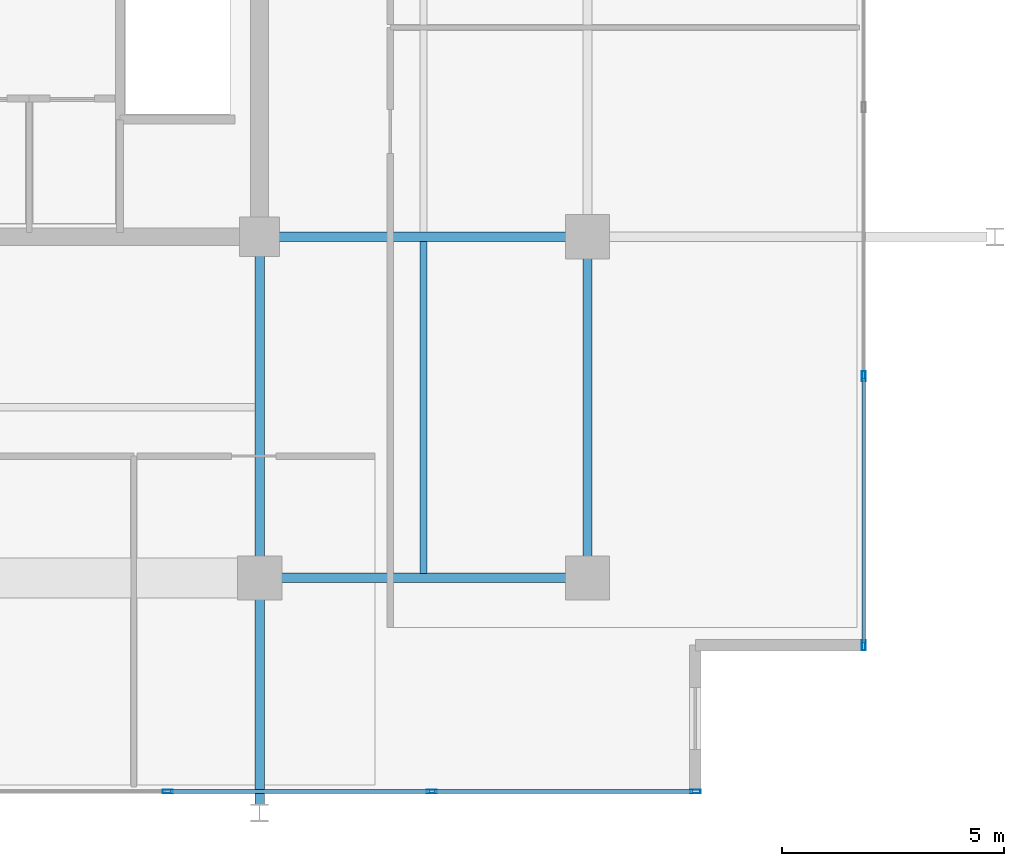
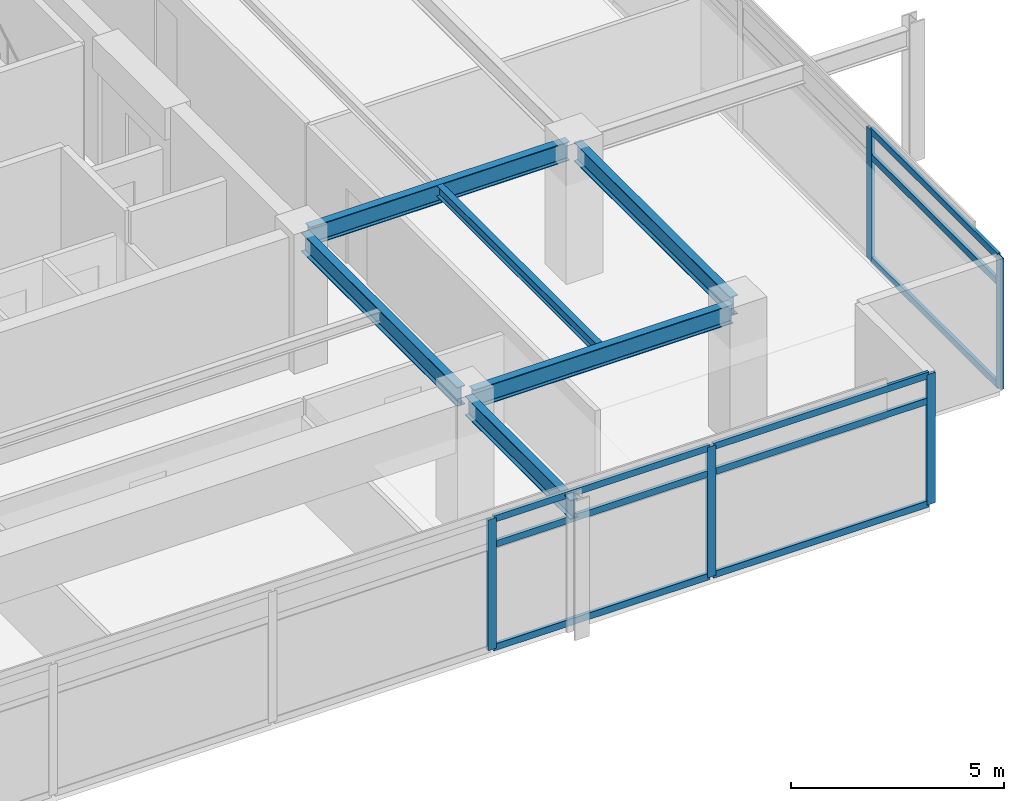
# One storey, part 6 of 20: 14 members, 6 beams, 2 elements without a shape of their own.
"""IFC4 building model written with IfcOpenShell, lengths in metres."""

from ifc_helpers import new_model, si_unit, direction, frame, origin, origin_2d, place, context, subcontext, project, spatial, hollow_rectangle, i_section, extrude, material, material_profile, profile_set, type_object, element, aggregate, save


model = new_model("IFC4")

# Units and contexts
model_context = context("Model", 3, precision=1e-05, world=origin(), true_north=direction((0.0, 1.0)))
body_context = subcontext(model_context, "Body", "Model", "MODEL_VIEW")
ifc_project = project(units=[si_unit("LENGTHUNIT", "METRE"), si_unit("AREAUNIT", "SQUARE_METRE"), si_unit("VOLUMEUNIT", "CUBIC_METRE"), si_unit("PLANEANGLEUNIT", "RADIAN"), si_unit("MASSUNIT", "GRAM", prefix="KILO")], contexts=[model_context])

# Site, building, storey
site_placement = place(None, origin())
site = spatial("IfcSite", under=ifc_project, at=site_placement, CompositionType="ELEMENT")
building_placement = place(site_placement, origin())
building = spatial("IfcBuilding", under=site, at=building_placement, Name="Kovane Verandah Tower", CompositionType="ELEMENT")
storey_placement = place(building_placement, frame((0.0, 0.0, 330.800048828125)))
storey = spatial("IfcBuildingStorey", under=building, at=storey_placement, Name="L77", CompositionType="ELEMENT", Elevation=330.800048828125)

# Beams
ifc_material_1 = material(Name="Steel S355", Category="steel")
ifc_material_profile_1 = material_profile(ifc_material_1, i_section(OverallWidth=0.2119140625, OverallDepth=0.54443359375, WebThickness=0.0126953125, FlangeThickness=0.021240234375, FilletRadius=0.0126953125, at=origin_2d()), Name="UB533x210x122")
ifc_profile_set_1 = profile_set([ifc_material_profile_1], Name="Steel S355")
beam_type_1 = type_object("IfcBeamType", Name="BM-UB533x122", PredefinedType="BEAM", material=ifc_profile_set_1)
beam_1_placement = place(storey_placement, frame((51.179931640625, 10.800048828125, 3.5126953125), z_axis=(1.0, 0.0, 0.0), x_axis=(0.0, 1.0, 0.0)))
element("IfcBeam", 1, at=beam_1_placement, inside=storey, type_object=beam_type_1, Name="L77 Primary Tower Girder G-RS3", PredefinedType="BEAM", context=body_context, shape_type="SweptSolid", body=[
    extrude(i_section(OverallWidth=0.2119140625, OverallDepth=0.54443359375, WebThickness=0.0126953125, FlangeThickness=0.021240234375, FilletRadius=0.0126953125, at=origin_2d()), origin(), (0.0, 0.0, 1.0), 7.0400390625),
])
beam_2_placement = place(storey_placement, frame((58.39990234375, 10.97998046875, 3.5126953125), z_axis=(0.0, 1.0, 0.0), x_axis=(-1.0, 0.0, 0.0)))
element("IfcBeam", 2, at=beam_2_placement, inside=storey, type_object=beam_type_1, Name="L77 Primary Tower Girder G-RE1", PredefinedType="BEAM", context=body_context, shape_type="SweptSolid", body=[
    extrude(i_section(OverallWidth=0.2119140625, OverallDepth=0.54443359375, WebThickness=0.0126953125, FlangeThickness=0.021240234375, FilletRadius=0.0126953125, at=origin_2d()), origin(), (0.0, 0.0, 1.0), 7.340087890625),
])
beam_3_placement = place(storey_placement, frame((51.179931640625, 18.5, 3.5126953125), z_axis=(1.0, 0.0, 0.0), x_axis=(0.0, 1.0, 0.0)))
element("IfcBeam", 3, at=beam_3_placement, inside=storey, type_object=beam_type_1, Name="L77 Primary Tower Girder G-E1", PredefinedType="BEAM", context=body_context, shape_type="SweptSolid", body=[
    extrude(i_section(OverallWidth=0.2119140625, OverallDepth=0.54443359375, WebThickness=0.0126953125, FlangeThickness=0.021240234375, FilletRadius=0.0126953125, at=origin_2d()), origin(), (0.0, 0.0, 1.0), 7.0400390625),
])
beam_4_placement = place(storey_placement, frame((51.0, 18.320068359375, 3.5126953125), z_axis=(0.0, -1.0, 0.0), x_axis=(1.0, 0.0, 0.0)))
element("IfcBeam", 4, at=beam_4_placement, inside=storey, type_object=beam_type_1, Name="L77 Primary Tower Girder G-S2", PredefinedType="BEAM", context=body_context, shape_type="SweptSolid", body=[
    extrude(i_section(OverallWidth=0.2119140625, OverallDepth=0.54443359375, WebThickness=0.0126953125, FlangeThickness=0.021240234375, FilletRadius=0.0126953125, at=origin_2d()), origin(), (0.0, 0.0, 1.0), 7.340087890625),
])
beam_5_placement = place(storey_placement, frame((51.0, 10.6201171875, 3.48779296875), z_axis=(0.0, -1.0, 0.0), x_axis=(1.0, 0.0, 0.0)))
element("IfcBeam", 5, at=beam_5_placement, inside=storey, type_object=beam_type_1, Name="L77 Primary Tower Girder G-VS2", PredefinedType="BEAM", context=body_context, shape_type="SweptSolid", body=[
    extrude(i_section(OverallWidth=0.2119140625, OverallDepth=0.54443359375, WebThickness=0.0126953125, FlangeThickness=0.021240234375, FilletRadius=0.0126953125, at=origin_2d()), origin(), (0.0, 0.0, 1.0), 4.940185546875),
])

# Curtain wall, members
ifc_material_2 = material(Name="Champagne Anodised Aluminium Frame with Low-E Clear Laminated Glass", Category="aluminium")
curtain_wall_type = type_object("IfcCurtainWallType", Name="CW-SYS-05-HIGH", PredefinedType="NOTDEFINED", material=ifc_material_2)
curtain_wall_1_placement = place(storey_placement, origin())
curtain_wall_1 = element("IfcCurtainWall", 6, at=curtain_wall_1_placement, inside=storey, type_object=curtain_wall_type, Name="L77 S Unitised Curtain Wall", PredefinedType="NOTDEFINED")
ifc_material_3 = material(Name="Champagne Anodised Aluminium 6063-T6", Category="aluminium")
ifc_material_profile_2 = material_profile(ifc_material_3, hollow_rectangle(XDim=0.0849609375, YDim=0.22998046875, WallThickness=0.00390625, at=origin_2d()), Name="AL85x230x4")
ifc_profile_set_2 = profile_set([ifc_material_profile_2], Name="Champagne Anodised Aluminium 6063-T6")
member_type_1 = type_object("IfcMemberType", Name="CW-MUL-85x230", PredefinedType="MULLION", material=ifc_profile_set_2)
member_1_placement = place(storey_placement, frame((48.929931640625, 5.981689453125, 0.02001953125), z_axis=(0.0, 0.0, 1.0), x_axis=(0.0, -1.0, 0.0)))
member_1 = element("IfcMember", 7, at=member_1_placement, type_object=member_type_1, Name="L77 S Unitised Curtain Wall Mullion 6", PredefinedType="MULLION", context=body_context, shape_type="SweptSolid", body=[
    extrude(hollow_rectangle(XDim=0.0849609375, YDim=0.22998046875, WallThickness=0.00390625, at=origin_2d()), origin(), (0.0, 0.0, 1.0), 3.744873046875),
])
member_2_placement = place(storey_placement, frame((54.883056640625, 5.981689453125, 0.02001953125), z_axis=(0.0, 0.0, 1.0), x_axis=(0.0, -1.0, 0.0)))
member_2 = element("IfcMember", 8, at=member_2_placement, type_object=member_type_1, Name="L77 S Unitised Curtain Wall Mullion 7", PredefinedType="MULLION", context=body_context, shape_type="SweptSolid", body=[
    extrude(hollow_rectangle(XDim=0.0849609375, YDim=0.22998046875, WallThickness=0.00390625, at=origin_2d()), origin(), (0.0, 0.0, 1.0), 3.744873046875),
])
member_3_placement = place(storey_placement, frame((60.83642578125, 5.981689453125, 0.02001953125), z_axis=(0.0, 0.0, 1.0), x_axis=(0.0, -1.0, 0.0)))
member_3 = element("IfcMember", 9, at=member_3_placement, type_object=member_type_1, Name="L77 S Unitised Curtain Wall Mullion 8", PredefinedType="MULLION", context=body_context, shape_type="SweptSolid", body=[
    extrude(hollow_rectangle(XDim=0.0849609375, YDim=0.22998046875, WallThickness=0.00390625, at=origin_2d()), origin(), (0.0, 0.0, 1.0), 3.744873046875),
])

curtain_wall_2_placement = place(storey_placement, origin())
curtain_wall_2 = element("IfcCurtainWall", 10, at=curtain_wall_2_placement, inside=storey, type_object=curtain_wall_type, Name="L77 E Unitised Curtain Wall", PredefinedType="NOTDEFINED")
member_4_placement = place(storey_placement, frame((64.636474609375, 9.28173828125, 0.02001953125), z_axis=(0.0, 0.0, 1.0), x_axis=(1.0, 0.0, 0.0)))
member_4 = element("IfcMember", 11, at=member_4_placement, type_object=member_type_1, Name="L77 E Unitised Curtain Wall Mullion 1", PredefinedType="MULLION", context=body_context, shape_type="SweptSolid", body=[
    extrude(hollow_rectangle(XDim=0.0849609375, YDim=0.22998046875, WallThickness=0.00390625, at=origin_2d()), origin(), (0.0, 0.0, 1.0), 3.744873046875),
])
member_5_placement = place(storey_placement, frame((64.636474609375, 15.3544921875, 0.02001953125), z_axis=(0.0, 0.0, 1.0), x_axis=(1.0, 0.0, 0.0)))
member_5 = element("IfcMember", 12, at=member_5_placement, type_object=member_type_1, Name="L77 E Unitised Curtain Wall Mullion 2", PredefinedType="MULLION", context=body_context, shape_type="SweptSolid", body=[
    extrude(hollow_rectangle(XDim=0.0849609375, YDim=0.22998046875, WallThickness=0.00390625, at=origin_2d()), origin(), (0.0, 0.0, 1.0), 3.744873046875),
])

# Member
ifc_material_profile_3 = material_profile(ifc_material_3, hollow_rectangle(XDim=0.0849609375, YDim=0.18994140625, WallThickness=0.00390625, at=origin_2d()), Name="AL85x190x4")
ifc_profile_set_3 = profile_set([ifc_material_profile_3], Name="Champagne Anodised Aluminium 6063-T6")
member_type_2 = type_object("IfcMemberType", Name="CW-TRN-85x190", PredefinedType="USERDEFINED", material=ifc_profile_set_3)
member_6_placement = place(storey_placement, frame((48.97998046875, 5.981689453125, 0.050048828125), z_axis=(1.0, 0.0, 0.0), x_axis=(0.0, 1.0, 0.0)))
member_6 = element("IfcMember", 13, at=member_6_placement, type_object=member_type_2, Name="L77 S Unitised Curtain Wall Transom TB Bay 6", ObjectType="TRANSOM", PredefinedType="USERDEFINED", context=body_context, shape_type="SweptSolid", body=[
    extrude(hollow_rectangle(XDim=0.0849609375, YDim=0.18994140625, WallThickness=0.00390625, at=origin_2d()), origin(), (0.0, 0.0, 1.0), 5.85302734375),
])

member_7_placement = place(storey_placement, frame((48.97998046875, 5.981689453125, 3.0048828125), z_axis=(1.0, 0.0, 0.0), x_axis=(0.0, 1.0, 0.0)))
member_7 = element("IfcMember", 14, at=member_7_placement, type_object=member_type_2, Name="L77 S Unitised Curtain Wall Transom TM Bay 6", ObjectType="TRANSOM", PredefinedType="USERDEFINED", context=body_context, shape_type="SweptSolid", body=[
    extrude(hollow_rectangle(XDim=0.0849609375, YDim=0.18994140625, WallThickness=0.00390625, at=origin_2d()), origin(), (0.0, 0.0, 1.0), 5.85302734375),
])

member_8_placement = place(storey_placement, frame((48.97998046875, 5.981689453125, 3.73486328125), z_axis=(1.0, 0.0, 0.0), x_axis=(0.0, 1.0, 0.0)))
member_8 = element("IfcMember", 15, at=member_8_placement, type_object=member_type_2, Name="L77 S Unitised Curtain Wall Transom TT Bay 6", ObjectType="TRANSOM", PredefinedType="USERDEFINED", context=body_context, shape_type="SweptSolid", body=[
    extrude(hollow_rectangle(XDim=0.0849609375, YDim=0.18994140625, WallThickness=0.00390625, at=origin_2d()), origin(), (0.0, 0.0, 1.0), 5.85302734375),
])

member_9_placement = place(storey_placement, frame((54.93310546875, 5.981689453125, 0.050048828125), z_axis=(1.0, 0.0, 0.0), x_axis=(0.0, 1.0, 0.0)))
member_9 = element("IfcMember", 16, at=member_9_placement, type_object=member_type_2, Name="L77 S Unitised Curtain Wall Transom TB Bay 7", ObjectType="TRANSOM", PredefinedType="USERDEFINED", context=body_context, shape_type="SweptSolid", body=[
    extrude(hollow_rectangle(XDim=0.0849609375, YDim=0.18994140625, WallThickness=0.00390625, at=origin_2d()), origin(), (0.0, 0.0, 1.0), 5.853271484375),
])

member_10_placement = place(storey_placement, frame((54.93310546875, 5.981689453125, 3.0048828125), z_axis=(1.0, 0.0, 0.0), x_axis=(0.0, 1.0, 0.0)))
member_10 = element("IfcMember", 17, at=member_10_placement, type_object=member_type_2, Name="L77 S Unitised Curtain Wall Transom TM Bay 7", ObjectType="TRANSOM", PredefinedType="USERDEFINED", context=body_context, shape_type="SweptSolid", body=[
    extrude(hollow_rectangle(XDim=0.0849609375, YDim=0.18994140625, WallThickness=0.00390625, at=origin_2d()), origin(), (0.0, 0.0, 1.0), 5.853271484375),
])

member_11_placement = place(storey_placement, frame((54.93310546875, 5.981689453125, 3.73486328125), z_axis=(1.0, 0.0, 0.0), x_axis=(0.0, 1.0, 0.0)))
member_11 = element("IfcMember", 18, at=member_11_placement, type_object=member_type_2, Name="L77 S Unitised Curtain Wall Transom TT Bay 7", ObjectType="TRANSOM", PredefinedType="USERDEFINED", context=body_context, shape_type="SweptSolid", body=[
    extrude(hollow_rectangle(XDim=0.0849609375, YDim=0.18994140625, WallThickness=0.00390625, at=origin_2d()), origin(), (0.0, 0.0, 1.0), 5.853271484375),
])

aggregate(curtain_wall_1, [member_1, member_2, member_3, member_6, member_7, member_8, member_9, member_10, member_11])

member_12_placement = place(storey_placement, frame((64.636474609375, 9.331787109375, 0.050048828125), z_axis=(0.0, 1.0, 0.0), x_axis=(-1.0, 0.0, 0.0)))
member_12 = element("IfcMember", 19, at=member_12_placement, type_object=member_type_2, Name="L77 E Unitised Curtain Wall Transom TB Bay 1", ObjectType="TRANSOM", PredefinedType="USERDEFINED", context=body_context, shape_type="SweptSolid", body=[
    extrude(hollow_rectangle(XDim=0.0849609375, YDim=0.18994140625, WallThickness=0.00390625, at=origin_2d()), origin(), (0.0, 0.0, 1.0), 5.97265625),
])

member_13_placement = place(storey_placement, frame((64.636474609375, 9.331787109375, 3.0048828125), z_axis=(0.0, 1.0, 0.0), x_axis=(-1.0, 0.0, 0.0)))
member_13 = element("IfcMember", 20, at=member_13_placement, type_object=member_type_2, Name="L77 E Unitised Curtain Wall Transom TM Bay 1", ObjectType="TRANSOM", PredefinedType="USERDEFINED", context=body_context, shape_type="SweptSolid", body=[
    extrude(hollow_rectangle(XDim=0.0849609375, YDim=0.18994140625, WallThickness=0.00390625, at=origin_2d()), origin(), (0.0, 0.0, 1.0), 5.97265625),
])

member_14_placement = place(storey_placement, frame((64.636474609375, 9.331787109375, 3.73486328125), z_axis=(0.0, 1.0, 0.0), x_axis=(-1.0, 0.0, 0.0)))
member_14 = element("IfcMember", 21, at=member_14_placement, type_object=member_type_2, Name="L77 E Unitised Curtain Wall Transom TT Bay 1", ObjectType="TRANSOM", PredefinedType="USERDEFINED", context=body_context, shape_type="SweptSolid", body=[
    extrude(hollow_rectangle(XDim=0.0849609375, YDim=0.18994140625, WallThickness=0.00390625, at=origin_2d()), origin(), (0.0, 0.0, 1.0), 5.97265625),
])

aggregate(curtain_wall_2, [member_4, member_5, member_12, member_13, member_14])

# Beam
ifc_material_profile_4 = material_profile(ifc_material_1, i_section(OverallWidth=0.1669921875, OverallDepth=0.310302734375, WebThickness=0.0078125, FlangeThickness=0.013671875, FilletRadius=0.0087890625, at=origin_2d()), Name="UB305x165x54")
ifc_profile_set_4 = profile_set([ifc_material_profile_4], Name="Steel S355")
beam_type_2 = type_object("IfcBeamType", Name="JST-UB305x54", PredefinedType="JOIST", material=ifc_profile_set_4)
beam_6_placement = place(storey_placement, frame((54.699951171875, 10.904052734375, 3.629638671875), z_axis=(0.0, 1.0, 0.0), x_axis=(-1.0, 0.0, 0.0)))
element("IfcBeam", 22, at=beam_6_placement, inside=storey, type_object=beam_type_2, Name="L77 Secondary Composite Joist J-SE1", PredefinedType="JOIST", context=body_context, shape_type="SweptSolid", body=[
    extrude(i_section(OverallWidth=0.1669921875, OverallDepth=0.310302734375, WebThickness=0.0078125, FlangeThickness=0.013671875, FilletRadius=0.0087890625, at=origin_2d()), origin(), (0.0, 0.0, 1.0), 7.491943359375),
])

save(model, "model.ifc")
